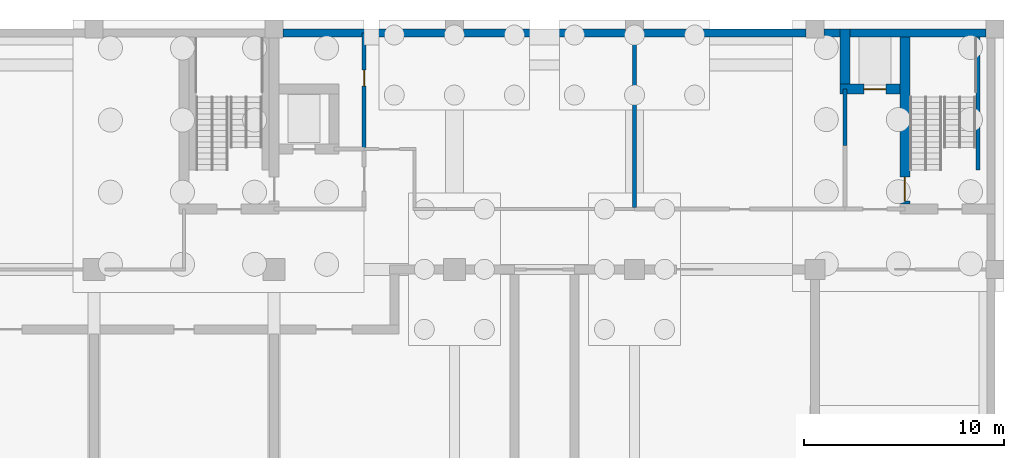
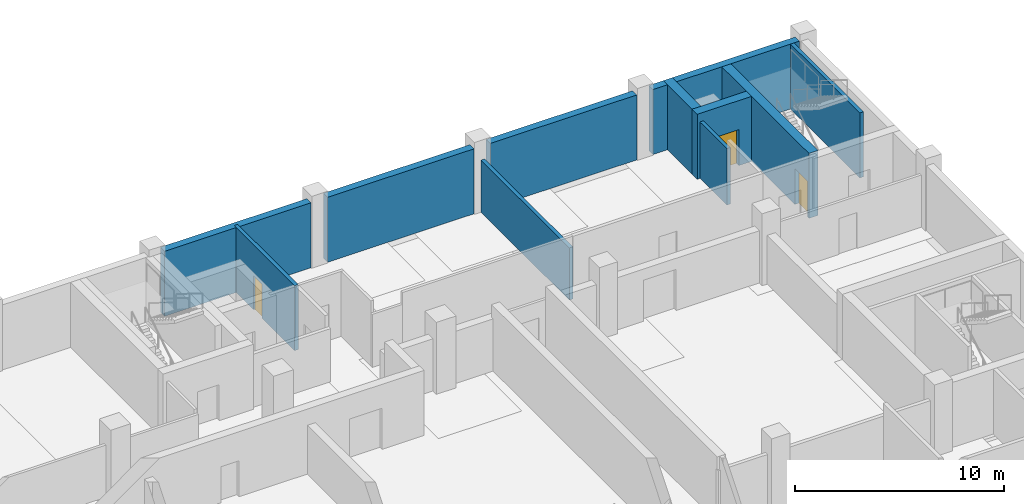
# One storey, part 10 of 15: 11 walls, 3 doors, 3 openings.
"""IFC4 building model written with IfcOpenShell, lengths in metres."""

import ifcopenshell
import ifcopenshell.guid

model = None  # the IFC model being written
_history = None  # IfcOwnerHistory: only IFC2X3 demands one
_inside = {}  # id of a spatial element -> (the spatial element, [elements in it])
_under = {}  # id of a project, library or spatial element -> (it, [spatial elements below it])
_declared = {}  # id of a project -> (the project, [libraries it declares])
_typed = {}  # id of a type object -> (the type object, [elements of that type])
_made_of = {}  # id of a material, layer set ... -> (it, [elements and type objects made of it])


def new_model(schema):
    """Start an empty IFC model of exactly this schema.

    Asked for "IFC4X3", IfcOpenShell would pick the latest addendum, in which some entities
    have other attributes; the version numbers below select the first issue.
    IFC2X3 requires an IfcOwnerHistory on every rooted entity: one is made here for all.
    """
    global model, _history
    if schema == "IFC4X3":
        model = ifcopenshell.file(schema_version=(4, 3, 0, 0))
    else:
        model = ifcopenshell.file(schema=schema)
    _inside.clear()
    _under.clear()
    _declared.clear()
    _typed.clear()
    _made_of.clear()
    _history = None
    if model.schema == "IFC2X3":
        org = make("IfcOrganization", Name="unknown")
        user = make(
            "IfcPersonAndOrganization",
            ThePerson=make("IfcPerson", FamilyName="unknown"),
            TheOrganization=org,
        )
        app = make(
            "IfcApplication",
            ApplicationDeveloper=org,
            Version="unknown",
            ApplicationFullName="unknown",
            ApplicationIdentifier="unknown",
        )
        _history = make(
            "IfcOwnerHistory",
            OwningUser=user,
            OwningApplication=app,
            ChangeAction="ADDED",
            CreationDate=0,
        )
    return model


def make(cls, **values):
    """One entity of the class cls with the attributes given. An attribute that is None is left unset."""
    return model.create_entity(
        cls, **{name: value for name, value in values.items() if value is not None}
    )


def rooted(cls, **values):
    """An entity with a GlobalId (a new one), such as an element, a storey or a relation."""
    return make(cls, GlobalId=ifcopenshell.guid.new(), OwnerHistory=_history, **values)


def si_unit(unit_type, name, prefix=None):
    """IfcSIUnit, for example si_unit("LENGTHUNIT", "METRE", prefix="MILLI")."""
    return make("IfcSIUnit", UnitType=unit_type, Prefix=prefix, Name=name)


def assignment(units):
    """IfcUnitAssignment: the units of a project."""
    return None if units is None else make("IfcUnitAssignment", Units=units)


def point(xyz):
    """IfcCartesianPoint."""
    return None if xyz is None else make("IfcCartesianPoint", Coordinates=xyz)


def direction(xyz):
    """IfcDirection."""
    return None if xyz is None else make("IfcDirection", DirectionRatios=xyz)


def frame(location, z_axis=None, x_axis=None):
    """IfcAxis2Placement3D, a coordinate frame: its origin and axes. An axis left out is left unset."""
    return make(
        "IfcAxis2Placement3D",
        Location=point(location),
        Axis=direction(z_axis),
        RefDirection=direction(x_axis),
    )


def frame_2d(location, x_axis=None):
    """IfcAxis2Placement2D, a coordinate frame in the plane: its origin and x axis."""
    return make(
        "IfcAxis2Placement2D", Location=point(location), RefDirection=direction(x_axis)
    )


def origin():
    """The frame at (0, 0, 0) with its axes left unset."""
    return frame((0.0, 0.0, 0.0))


def place(relative_to, where):
    """IfcLocalPlacement: puts the frame where relative to a parent placement (None: the world)."""
    return make(
        "IfcLocalPlacement", PlacementRelTo=relative_to, RelativePlacement=where
    )


def context(
    kind, dimensions, precision=None, world=None, true_north=None, identifier=None
):
    """IfcGeometricRepresentationContext, for example the 3D "Model" context."""
    return make(
        "IfcGeometricRepresentationContext",
        ContextIdentifier=identifier,
        ContextType=kind,
        CoordinateSpaceDimension=dimensions,
        Precision=precision,
        WorldCoordinateSystem=world,
        TrueNorth=true_north,
    )


def subcontext(parent, identifier, kind, view, scale=None):
    """IfcGeometricRepresentationSubContext, for example "Body" below "Model"."""
    return make(
        "IfcGeometricRepresentationSubContext",
        ContextIdentifier=identifier,
        ContextType=kind,
        ParentContext=parent,
        TargetScale=scale,
        TargetView=view,
    )


def project(units=None, contexts=None):
    """IfcProject with its units and contexts."""
    return rooted(
        "IfcProject",
        Name="project",
        RepresentationContexts=contexts,
        UnitsInContext=assignment(units),
    )


def spatial(cls, under=None, at=None, **own):
    """A site, building, storey or space (cls), placed at a placement, below another one or the project."""
    s = rooted(cls, ObjectPlacement=at, **own)
    if under is not None:
        _under.setdefault(under.id(), (under, []))[1].append(s)
    return s


def profile(cls, at=None, kind="AREA", **sizes):
    """A parametric profile (cls). Its sizes go by their IFC names, for example OverallWidth=200.0."""
    return make(cls, ProfileType=kind, Position=at, **sizes)


def rectangle(**sizes):
    """IfcRectangleProfileDef."""
    return profile("IfcRectangleProfileDef", **sizes)


def extrude(swept, where, along, depth):
    """IfcExtrudedAreaSolid: the profile swept, set in the frame where, extruded along a direction by depth."""
    return make(
        "IfcExtrudedAreaSolid",
        SweptArea=swept,
        Position=where,
        ExtrudedDirection=direction(along),
        Depth=depth,
    )


def shape(context_of_items, identifier, shape_type, items):
    """IfcShapeRepresentation: the items that make up one representation, for example the "Body"."""
    return make(
        "IfcShapeRepresentation",
        ContextOfItems=context_of_items,
        RepresentationIdentifier=identifier,
        RepresentationType=shape_type,
        Items=items,
    )


def material(Name=None, Category=None):
    """IfcMaterial."""
    return make("IfcMaterial", Name=Name, Category=Category)


def layer(
    of_material, thickness, ventilated=None, Name=None, Category=None, Priority=None
):
    """IfcMaterialLayer: one layer of a wall or slab, of a material (None: an air gap)."""
    return make(
        "IfcMaterialLayer",
        Material=of_material,
        LayerThickness=thickness,
        IsVentilated=ventilated,
        Name=Name,
        Category=Category,
        Priority=Priority,
    )


def layer_set(layers, Name=None):
    """IfcMaterialLayerSet."""
    return make("IfcMaterialLayerSet", MaterialLayers=layers, LayerSetName=Name)


def made_of(thing, what):
    """Note that an element or type object is made of a material, layer set ...; save() writes the relation."""
    if what is not None:
        _made_of.setdefault(what.id(), (what, []))[1].append(thing)
    return thing


def type_object(cls, material=None, **own):
    """A type object (cls), such as IfcWallType, which elements share."""
    return made_of(rooted(cls, **own), material)


def element(
    cls,
    number,
    at=None,
    inside=None,
    cuts=None,
    type_object=None,
    material=None,
    context=None,
    identifier="Body",
    shape_type=None,
    held_by="IfcProductDefinitionShape",
    body=None,
    shapes=None,
    **own,
):
    """One element of the class cls, such as IfcWall. Its Tag is "e" and its number.

    at: its placement. inside: the storey or other place that contains it. cuts: it is an
    opening in that element (IfcRelVoidsElement). A single representation is given by context,
    identifier, shape_type and body (its items); several are given by shapes. held_by: the class
    of the entity that holds the representations. save() writes the other relations.
    """
    e = rooted(cls, Tag="e%d" % number, ObjectPlacement=at, **own)
    if body is not None:
        shapes = [shape(context, identifier, shape_type, body)]
    if shapes is not None:
        e.Representation = make(held_by, Representations=shapes)
    if inside is not None:
        _inside.setdefault(inside.id(), (inside, []))[1].append(e)
    if cuts is not None:
        rooted(
            "IfcRelVoidsElement", RelatingBuildingElement=cuts, RelatedOpeningElement=e
        )
    if type_object is not None:
        _typed.setdefault(type_object.id(), (type_object, []))[1].append(e)
    return made_of(e, material)


def fill(opening, filler):
    """IfcRelFillsElement: the door or window that sits in an opening."""
    return rooted(
        "IfcRelFillsElement",
        RelatingOpeningElement=opening,
        RelatedBuildingElement=filler,
    )


def aggregate(whole, parts):
    """IfcRelAggregates: a whole, such as a stair, and the parts it consists of."""
    return rooted("IfcRelAggregates", RelatingObject=whole, RelatedObjects=parts)


def save(model, path):
    """Write the relations noted so far, then the file.

    IfcRelAggregates (storeys below a building ...), IfcRelContainedInSpatialStructure (elements
    in a storey), IfcRelDefinesByType, IfcRelAssociatesMaterial and IfcRelDeclares: one each for
    every whole, place, type object, material and project.
    """
    for whole, parts in _under.values():
        aggregate(whole, parts)
    for where, things in _inside.values():
        rooted(
            "IfcRelContainedInSpatialStructure",
            RelatedElements=things,
            RelatingStructure=where,
        )
    for kind, things in _typed.values():
        rooted("IfcRelDefinesByType", RelatedObjects=things, RelatingType=kind)
    for what, things in _made_of.values():
        rooted("IfcRelAssociatesMaterial", RelatedObjects=things, RelatingMaterial=what)
    for by, libraries in _declared.values():
        rooted("IfcRelDeclares", RelatingContext=by, RelatedDefinitions=libraries)
    model.write(path)


model = new_model("IFC4")

# Units and contexts
model_context = context("Model", 3, precision=1e-05, world=origin(), true_north=direction((0.0, 1.0)))
body_context = subcontext(model_context, "Body", "Model", "MODEL_VIEW")
ifc_project = project(units=[si_unit("LENGTHUNIT", "METRE"), si_unit("AREAUNIT", "SQUARE_METRE"), si_unit("VOLUMEUNIT", "CUBIC_METRE"), si_unit("PLANEANGLEUNIT", "RADIAN"), si_unit("MASSUNIT", "GRAM", prefix="KILO")], contexts=[model_context])

# Site, building, storey
site_placement = place(None, origin())
site = spatial("IfcSite", under=ifc_project, at=site_placement, CompositionType="ELEMENT")
building_placement = place(site_placement, origin())
building = spatial("IfcBuilding", under=site, at=building_placement, Name="Aurelan Courthouse", CompositionType="ELEMENT")
storey_placement = place(building_placement, frame((0.0, 0.0, -8.39990234375)))
storey = spatial("IfcBuildingStorey", under=building, at=storey_placement, Name="B2", CompositionType="ELEMENT", Elevation=-8.39990234375)

# Walls
ifc_material_1 = material(Name="Masonry block", Category="masonry")
ifc_layer_1 = layer(ifc_material_1, 0.199951171875)
ifc_layer_set_1 = layer_set([ifc_layer_1], Name="Masonry block")
wall_type_1 = type_object("IfcWallType", Name="Plant room wall 200 EI 120", PredefinedType="PARTITIONING", material=ifc_layer_set_1)
wall_1_placement = place(storey_placement, frame((72.0, 57.074951171875, 0.0), z_axis=(0.0, 0.0, 1.0), x_axis=(0.0, 1.0, 0.0)))
element("IfcWall", 1, at=wall_1_placement, inside=storey, type_object=wall_type_1, Name="Plant room wall B2-110", PredefinedType="PARTITIONING", context=body_context, shape_type="SweptSolid", body=[
    extrude(rectangle(XDim=8.47509765625, YDim=0.199951171875, at=frame_2d((4.237548828125, 0.0))), origin(), (0.0, 0.0, 1.0), 3.0498046875),
])
wall_2_placement = place(storey_placement, frame((82.5, 60.175048828125, 0.0), z_axis=(0.0, 0.0, 1.0), x_axis=(0.0, 1.0, 0.0)))
element("IfcWall", 2, at=wall_2_placement, inside=storey, type_object=wall_type_1, Name="Plant room wall B2-115B", PredefinedType="PARTITIONING", context=body_context, shape_type="SweptSolid", body=[
    extrude(rectangle(XDim=2.824951171875, YDim=0.199951171875, at=frame_2d((1.41259765625, 0.0))), origin(), (0.0, 0.0, 1.0), 3.2998046875),
])
ifc_material_2 = material(Name="Concrete C50", Category="concrete")
ifc_layer_2 = layer(ifc_material_2, 0.39990234375)
ifc_layer_set_2 = layer_set([ifc_layer_2], Name="Concrete C50")
wall_type_2 = type_object("IfcWallType", Name="RC retaining wall 400", PredefinedType="SOLIDWALL", material=ifc_layer_set_2)
for number, where, z_axis, x_axis, name in (
    (3, (54.449951171875, 65.800048828125, 0.0), (0.0, 0.0, 1.0), (1.0, 0.0, 0.0), "Retaining wall SW-B2-054"),
    (4, (63.449951171875, 65.800048828125, 0.0), (0.0, 0.0, 1.0), (1.0, 0.0, 0.0), "Retaining wall SW-B2-055"),
    (5, (72.449951171875, 65.800048828125, 0.0), (0.0, 0.0, 1.0), (1.0, 0.0, 0.0), "Retaining wall SW-B2-056"),
    (6, (81.449951171875, 65.800048828125, 0.0), (0.0, 0.0, 1.0), (1.0, 0.0, 0.0), "Retaining wall SW-B2-057"),
):
    element("IfcWall", number, at=place(storey_placement, frame(where, z_axis=z_axis, x_axis=x_axis)), inside=storey, type_object=wall_type_2, Name=name, PredefinedType="SOLIDWALL", context=body_context, shape_type="SweptSolid", body=[
        extrude(rectangle(XDim=8.10009765625, YDim=0.39990234375, at=frame_2d((4.050048828125, 0.0))), origin(), (0.0, 0.0, 1.0), 3.7998046875),
    ])

# Wall, opening, door
ifc_layer_3 = layer(ifc_material_2, 0.5)
ifc_layer_set_3 = layer_set([ifc_layer_3], Name="Concrete C50")
wall_type_3 = type_object("IfcWallType", Name="RC shear wall 500", PredefinedType="SHEAR", material=ifc_layer_set_3)
wall_3_placement = place(storey_placement, frame((85.5, 57.25, 0.0), z_axis=(0.0, 0.0, 1.0), x_axis=(0.0, 1.0, 0.0)))
wall_3 = element("IfcWall", 7, at=wall_3_placement, inside=storey, type_object=wall_type_3, Name="Core wall SW-B2-042", PredefinedType="SHEAR", context=body_context, shape_type="SweptSolid", body=[
    extrude(rectangle(XDim=8.75, YDim=0.5, at=frame_2d((4.375, 0.0))), origin(), (0.0, 0.0, 1.0), 3.7998046875),
])
opening_1_placement = place(wall_3_placement, frame((1.349853515625, 0.0, 0.0), z_axis=(0.0, 0.0, 1.0), x_axis=(-1.0, 0.0, 0.0)))
opening_1 = element("IfcOpeningElement", 8, at=opening_1_placement, cuts=wall_3, Name="Opening D-B2-059", PredefinedType="OPENING", context=body_context, shape_type="SweptSolid", body=[
    extrude(rectangle(XDim=1.199951171875, YDim=2.10009765625, at=frame_2d((0.60009765625, 1.050048828125))), frame((0.0, 0.260009765625, 0.0), z_axis=(0.0, -1.0, 0.0), x_axis=(1.0, 0.0, 0.0)), (0.0, 0.0, 1.0), 0.52001953125),
])
ifc_material_3 = material(Name="Steel", Category="steel")
door_type_1 = type_object("IfcDoorType", Name="Single door 1200 x 2100 FD90", OperationType="SINGLE_SWING_LEFT", PredefinedType="DOOR", material=ifc_material_3)
door_1_placement = place(opening_1_placement, origin())
door_1 = element("IfcDoor", 9, at=door_1_placement, inside=storey, type_object=door_type_1, Name="Single door D-B2-059", OperationType="SINGLE_SWING_RIGHT", OverallHeight=2.10009765625, OverallWidth=1.199951171875, PredefinedType="DOOR", context=body_context, shape_type="SweptSolid", body=[
    extrude(rectangle(XDim=1.199951171875, YDim=2.10009765625, at=frame_2d((0.60009765625, 1.050048828125))), frame((0.0, 0.02490234375, 0.0), z_axis=(0.0, -1.0, 0.0), x_axis=(1.0, 0.0, 0.0)), (0.0, 0.0, 1.0), 0.050048828125),
])
fill(opening_1, door_1)

wall_4_placement = place(storey_placement, frame((82.25, 63.0, 0.0), z_axis=(0.0, 0.0, 1.0), x_axis=(1.0, 0.0, 0.0)))
wall_4 = element("IfcWall", 10, at=wall_4_placement, inside=storey, type_object=wall_type_3, Name="Core wall SW-B2-046", PredefinedType="SHEAR", context=body_context, shape_type="SweptSolid", body=[
    extrude(rectangle(XDim=3.0, YDim=0.5, at=frame_2d((1.5, 0.0))), origin(), (0.0, 0.0, 1.0), 3.7998046875),
])
opening_2_placement = place(wall_4_placement, frame((1.199951171875, 0.0, 0.0)))
opening_2 = element("IfcOpeningElement", 11, at=opening_2_placement, cuts=wall_4, Name="Opening LD-V3-F1-B2", PredefinedType="OPENING", context=body_context, shape_type="SweptSolid", body=[
    extrude(rectangle(XDim=1.10009765625, YDim=2.10009765625, at=frame_2d((0.550048828125, 1.050048828125))), frame((0.0, 0.260009765625, 0.0), z_axis=(0.0, -1.0, 0.0), x_axis=(1.0, 0.0, 0.0)), (0.0, 0.0, 1.0), 0.52001953125),
])
door_type_2 = type_object("IfcDoorType", Name="Lift landing door 1100 x 2100 FD90", OperationType="SLIDING_TO_LEFT", PredefinedType="DOOR", material=ifc_material_3)
door_2_placement = place(opening_2_placement, origin())
door_2 = element("IfcDoor", 12, at=door_2_placement, inside=storey, type_object=door_type_2, Name="Lift landing door LD-V3-F1-B2", OperationType="SLIDING_TO_LEFT", OverallHeight=2.10009765625, OverallWidth=1.10009765625, PredefinedType="DOOR", context=body_context, shape_type="SweptSolid", body=[
    extrude(rectangle(XDim=1.10009765625, YDim=2.10009765625, at=frame_2d((0.550048828125, 1.050048828125))), frame((0.0, 0.02490234375, 0.0), z_axis=(0.0, -1.0, 0.0), x_axis=(1.0, 0.0, 0.0)), (0.0, 0.0, 1.0), 0.050048828125),
])
fill(opening_2, door_2)

# Wall
wall_5_placement = place(storey_placement, frame((82.5, 63.25, 0.0), z_axis=(0.0, 0.0, 1.0), x_axis=(0.0, 1.0, 0.0)))
element("IfcWall", 13, at=wall_5_placement, inside=storey, type_object=wall_type_3, Name="Core wall SW-B2-047", PredefinedType="SHEAR", context=body_context, shape_type="SweptSolid", body=[
    extrude(rectangle(XDim=2.75, YDim=0.5, at=frame_2d((1.375, 0.0))), origin(), (0.0, 0.0, 1.0), 3.7998046875),
])

# Wall, opening, door
ifc_material_4 = material(Name="Concrete C30", Category="concrete")
ifc_layer_4 = layer(ifc_material_4, 0.199951171875)
ifc_layer_set_4 = layer_set([ifc_layer_4], Name="Concrete C30")
wall_type_4 = type_object("IfcWallType", Name="Shaft wall 200 EI 120 load-bearing", PredefinedType="SHEAR", material=ifc_layer_set_4)
wall_6_placement = place(storey_placement, frame((58.5, 60.0, 0.0), z_axis=(0.0, 0.0, 1.0), x_axis=(0.0, 1.0, 0.0)))
wall_6 = element("IfcWall", 14, at=wall_6_placement, inside=storey, type_object=wall_type_4, Name="Shaft wall B2-098", PredefinedType="SHEAR", context=body_context, shape_type="SweptSolid", body=[
    extrude(rectangle(XDim=5.800048828125, YDim=0.199951171875, at=frame_2d((2.89990234375, 0.0))), origin(), (0.0, 0.0, 1.0), 3.7998046875),
])
opening_3_placement = place(wall_6_placement, frame((3.949951171875, 0.0, 0.0), z_axis=(0.0, 0.0, 1.0), x_axis=(-1.0, 0.0, 0.0)))
opening_3 = element("IfcOpeningElement", 15, at=opening_3_placement, cuts=wall_6, Name="Opening D-B2-049", PredefinedType="OPENING", context=body_context, shape_type="SweptSolid", body=[
    extrude(rectangle(XDim=0.800048828125, YDim=2.0, at=frame_2d((0.39990234375, 1.0))), frame((0.0, 0.10986328125, 0.0), z_axis=(0.0, -1.0, 0.0), x_axis=(1.0, 0.0, 0.0)), (0.0, 0.0, 1.0), 0.219970703125),
])
door_type_3 = type_object("IfcDoorType", Name="Single door 800 x 2000 FD90", OperationType="SINGLE_SWING_LEFT", PredefinedType="DOOR", material=ifc_material_3)
door_3_placement = place(opening_3_placement, origin())
door_3 = element("IfcDoor", 16, at=door_3_placement, inside=storey, type_object=door_type_3, Name="Single door D-B2-049", OperationType="SINGLE_SWING_LEFT", OverallHeight=2.0, OverallWidth=0.800048828125, PredefinedType="DOOR", context=body_context, shape_type="SweptSolid", body=[
    extrude(rectangle(XDim=0.800048828125, YDim=2.0, at=frame_2d((0.39990234375, 1.0))), frame((0.0, 0.02490234375, 0.0), z_axis=(0.0, -1.0, 0.0), x_axis=(1.0, 0.0, 0.0)), (0.0, 0.0, 1.0), 0.050048828125),
])
fill(opening_3, door_3)

# Wall
ifc_layer_5 = layer(ifc_material_4, 0.199951171875)
ifc_layer_set_5 = layer_set([ifc_layer_5], Name="Concrete C30")
wall_type_5 = type_object("IfcWallType", Name="Stair well wall 200 EI 120 load-bearing", PredefinedType="SHEAR", material=ifc_layer_set_5)
wall_7_placement = place(storey_placement, frame((89.14990234375, 58.9599609375, 0.0), z_axis=(0.0, 0.0, 1.0), x_axis=(0.0, 1.0, 0.0)))
element("IfcWall", 17, at=wall_7_placement, inside=storey, type_object=wall_type_5, Name="Stair well wall ST-3B-B2 B", PredefinedType="SHEAR", context=body_context, shape_type="SweptSolid", body=[
    extrude(rectangle(XDim=6.64013671875, YDim=0.199951171875, at=frame_2d((3.320068359375, 0.0))), origin(), (0.0, 0.0, 1.0), 3.7998046875),
])

save(model, "model.ifc")
